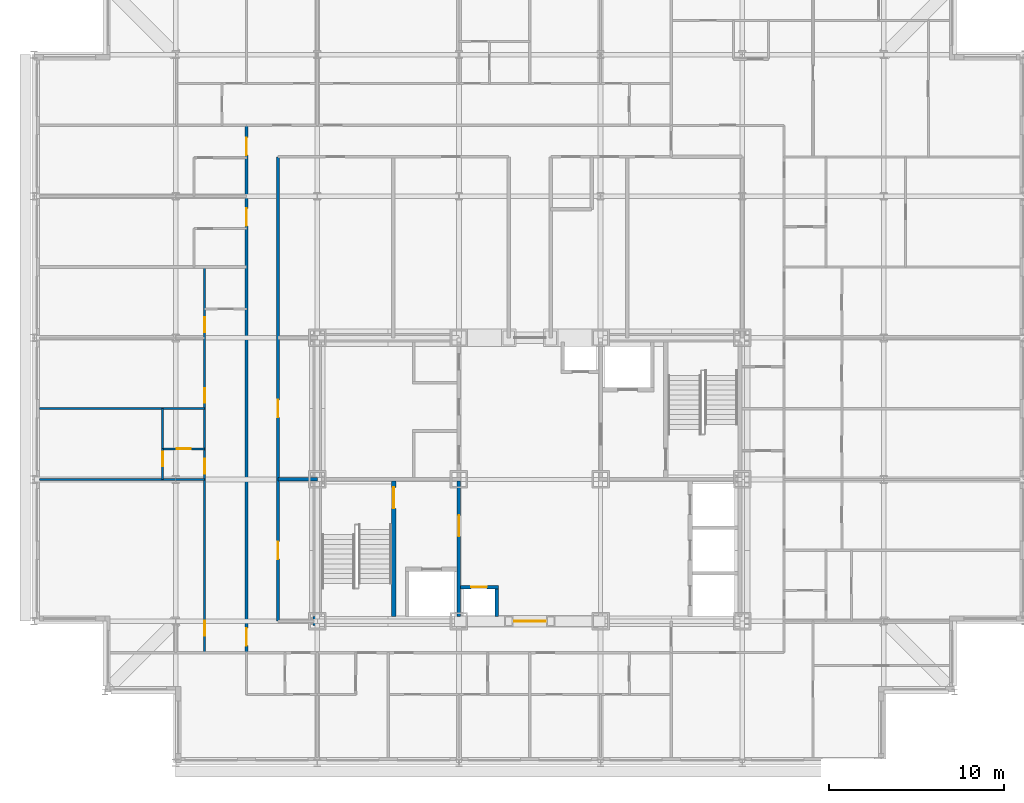
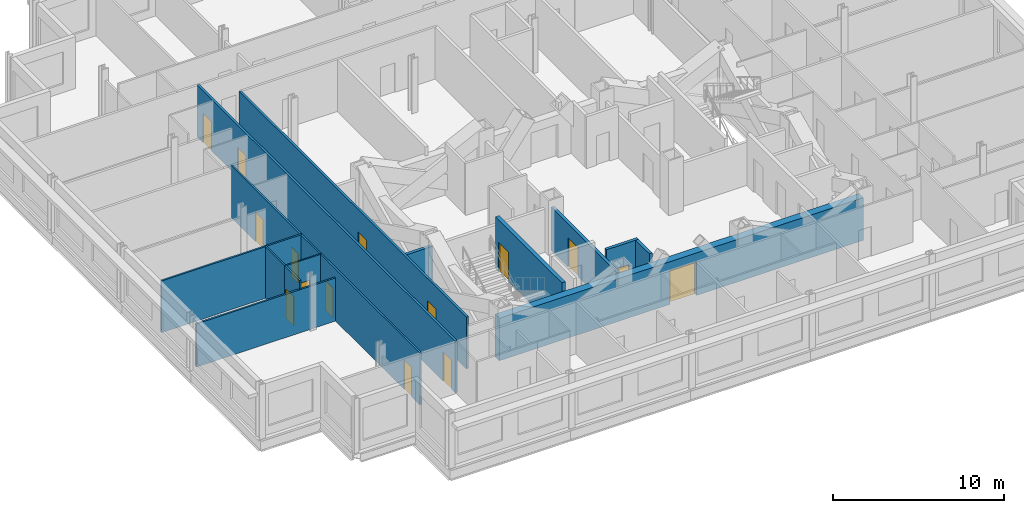
# One storey, part 8 of 15: 15 doors, 14 walls, 15 openings.
"""IFC4 building model written with IfcOpenShell, lengths in metres."""

from ifc_helpers import new_model, si_unit, direction, frame, frame_2d, origin, place, context, subcontext, project, spatial, rectangle, extrude, material, layer, layer_set, type_object, element, fill, save


model = new_model("IFC4")

# Units and contexts
model_context = context("Model", 3, precision=1e-05, world=origin(), true_north=direction((0.0, 1.0)))
body_context = subcontext(model_context, "Body", "Model", "MODEL_VIEW")
ifc_project = project(units=[si_unit("LENGTHUNIT", "METRE"), si_unit("AREAUNIT", "SQUARE_METRE"), si_unit("VOLUMEUNIT", "CUBIC_METRE"), si_unit("PLANEANGLEUNIT", "RADIAN"), si_unit("MASSUNIT", "GRAM", prefix="KILO")], contexts=[model_context])

# Site, building, storey
site_placement = place(None, origin())
site = spatial("IfcSite", under=ifc_project, at=site_placement, CompositionType="ELEMENT")
building_placement = place(site_placement, origin())
building = spatial("IfcBuilding", under=site, at=building_placement, Name="Kopane Lantern Tower", CompositionType="ELEMENT")
storey_placement = place(building_placement, frame((0.0, 0.0, 246.300048828125)))
storey = spatial("IfcBuildingStorey", under=building, at=storey_placement, Name="L63", CompositionType="ELEMENT", Elevation=246.300048828125)

# Wall, openings, doors
ifc_material_1 = material(Name="Gypsum board on steel studs", Category="steel")
ifc_layer_1 = layer(ifc_material_1, 0.1201171875)
ifc_layer_set_1 = layer_set([ifc_layer_1], Name="APARTMENT INTERNAL WALL 120")
wall_type_1 = type_object("IfcWallType", Name="APARTMENT INTERNAL WALL 120", PredefinedType="PARTITIONING", material=ifc_layer_set_1)
wall_1_placement = place(storey_placement, frame((9.75, 22.5, 0.0), z_axis=(0.0, 0.0, 1.0), x_axis=(0.0, 1.0, 0.0)))
wall_1 = element("IfcWall", 1, at=wall_1_placement, inside=storey, type_object=wall_type_1, Name="Apartment Internal Wall 120 L63", PredefinedType="PARTITIONING", context=body_context, shape_type="SweptSolid", body=[
    extrude(rectangle(XDim=22.050048828125, YDim=0.1201171875, at=frame_2d((11.02490234375, 0.0))), origin(), (0.0, 0.0, 1.0), 3.68994140625),
])
opening_1_placement = place(wall_1_placement, frame((0.97509765625, 0.0, 0.0)))
opening_1 = element("IfcOpeningElement", 2, at=opening_1_placement, cuts=wall_1, Name="Opening L63-027", PredefinedType="OPENING", context=body_context, shape_type="SweptSolid", body=[
    extrude(rectangle(XDim=0.85009765625, YDim=2.10009765625, at=frame_2d((0.425048828125, 1.050048828125))), frame((0.0, 0.070068359375, 0.0), z_axis=(0.0, -1.0, 0.0), x_axis=(1.0, 0.0, 0.0)), (0.0, 0.0, 1.0), 0.14013671875),
])
opening_2_placement = place(wall_1_placement, frame((10.22509765625, 0.0, 0.0)))
opening_2 = element("IfcOpeningElement", 3, at=opening_2_placement, cuts=wall_1, Name="Opening L63-029", PredefinedType="OPENING", context=body_context, shape_type="SweptSolid", body=[
    extrude(rectangle(XDim=0.85009765625, YDim=2.10009765625, at=frame_2d((0.425048828125, 1.050048828125))), frame((0.0, 0.070068359375, 0.0), z_axis=(0.0, -1.0, 0.0), x_axis=(1.0, 0.0, 0.0)), (0.0, 0.0, 1.0), 0.14013671875),
])
opening_3_placement = place(wall_1_placement, frame((14.27490234375, 0.0, 0.0)))
opening_3 = element("IfcOpeningElement", 4, at=opening_3_placement, cuts=wall_1, Name="Opening L63-030", PredefinedType="OPENING", context=body_context, shape_type="SweptSolid", body=[
    extrude(rectangle(XDim=0.85009765625, YDim=2.10009765625, at=frame_2d((0.425048828125, 1.050048828125))), frame((0.0, 0.070068359375, 0.0), z_axis=(0.0, -1.0, 0.0), x_axis=(1.0, 0.0, 0.0)), (0.0, 0.0, 1.0), 0.14013671875),
])
opening_4_placement = place(wall_1_placement, frame((18.324951171875, 0.0, 0.0)))
opening_4 = element("IfcOpeningElement", 5, at=opening_4_placement, cuts=wall_1, Name="Opening L63-031", PredefinedType="OPENING", context=body_context, shape_type="SweptSolid", body=[
    extrude(rectangle(XDim=0.85009765625, YDim=2.10009765625, at=frame_2d((0.425048828125, 1.050048828125))), frame((0.0, 0.070068359375, 0.0), z_axis=(0.0, -1.0, 0.0), x_axis=(1.0, 0.0, 0.0)), (0.0, 0.0, 1.0), 0.14013671875),
])
ifc_material_2 = material(Name="Timber door set", Category="wood")
door_type_1 = type_object("IfcDoorType", Name="DOOR D4 850x2100", OperationType="SINGLE_SWING_LEFT", PredefinedType="DOOR", material=ifc_material_2)
door_1_placement = place(opening_1_placement, origin())
door_1 = element("IfcDoor", 6, at=door_1_placement, inside=storey, type_object=door_type_1, Name="Door L63-027", OperationType="SINGLE_SWING_RIGHT", OverallHeight=2.10009765625, OverallWidth=0.85009765625, PredefinedType="DOOR", context=body_context, shape_type="SweptSolid", body=[
    extrude(rectangle(XDim=0.85009765625, YDim=2.10009765625, at=frame_2d((0.425048828125, 1.050048828125))), frame((0.0, 0.02490234375, 0.0), z_axis=(0.0, -1.0, 0.0), x_axis=(1.0, 0.0, 0.0)), (0.0, 0.0, 1.0), 0.050048828125),
])
fill(opening_1, door_1)
door_2_placement = place(opening_2_placement, origin())
door_2 = element("IfcDoor", 7, at=door_2_placement, inside=storey, type_object=door_type_1, Name="Door L63-029", OperationType="SINGLE_SWING_LEFT", OverallHeight=2.10009765625, OverallWidth=0.85009765625, PredefinedType="DOOR", context=body_context, shape_type="SweptSolid", body=[
    extrude(rectangle(XDim=0.85009765625, YDim=2.10009765625, at=frame_2d((0.425048828125, 1.050048828125))), frame((0.0, 0.02490234375, 0.0), z_axis=(0.0, -1.0, 0.0), x_axis=(1.0, 0.0, 0.0)), (0.0, 0.0, 1.0), 0.050048828125),
])
fill(opening_2, door_2)
door_3_placement = place(opening_3_placement, origin())
door_3 = element("IfcDoor", 8, at=door_3_placement, inside=storey, type_object=door_type_1, Name="Door L63-030", OperationType="SINGLE_SWING_LEFT", OverallHeight=2.10009765625, OverallWidth=0.85009765625, PredefinedType="DOOR", context=body_context, shape_type="SweptSolid", body=[
    extrude(rectangle(XDim=0.85009765625, YDim=2.10009765625, at=frame_2d((0.425048828125, 1.050048828125))), frame((0.0, 0.02490234375, 0.0), z_axis=(0.0, -1.0, 0.0), x_axis=(1.0, 0.0, 0.0)), (0.0, 0.0, 1.0), 0.050048828125),
])
fill(opening_3, door_3)
door_4_placement = place(opening_4_placement, origin())
door_4 = element("IfcDoor", 9, at=door_4_placement, inside=storey, type_object=door_type_1, Name="Door L63-031", OperationType="SINGLE_SWING_LEFT", OverallHeight=2.10009765625, OverallWidth=0.85009765625, PredefinedType="DOOR", context=body_context, shape_type="SweptSolid", body=[
    extrude(rectangle(XDim=0.85009765625, YDim=2.10009765625, at=frame_2d((0.425048828125, 1.050048828125))), frame((0.0, 0.02490234375, 0.0), z_axis=(0.0, -1.0, 0.0), x_axis=(1.0, 0.0, 0.0)), (0.0, 0.0, 1.0), 0.050048828125),
])
fill(opening_4, door_4)

# Walls
wall_2_placement = place(storey_placement, frame((9.75, 32.39990234375, 0.0), z_axis=(0.0, 0.0, 1.0), x_axis=(-1.0, 0.0, 0.0)))
element("IfcWall", 10, at=wall_2_placement, inside=storey, type_object=wall_type_1, Name="Apartment Internal Wall 120 L63", PredefinedType="PARTITIONING", context=body_context, shape_type="SweptSolid", body=[
    extrude(rectangle(XDim=9.449951171875, YDim=0.1201171875, at=frame_2d((4.72509765625, 0.0))), origin(), (0.0, 0.0, 1.0), 3.07763671875),
])
wall_3_placement = place(storey_placement, frame((9.75, 36.449951171875, 0.0), z_axis=(0.0, 0.0, 1.0), x_axis=(-1.0, 0.0, 0.0)))
element("IfcWall", 11, at=wall_3_placement, inside=storey, type_object=wall_type_1, Name="Apartment Internal Wall 120 L63", PredefinedType="PARTITIONING", context=body_context, shape_type="SweptSolid", body=[
    extrude(rectangle(XDim=9.449951171875, YDim=0.1201171875, at=frame_2d((4.72509765625, 0.0))), origin(), (0.0, 0.0, 1.0), 3.68994140625),
])

# Wall, opening, door
wall_4_placement = place(storey_placement, frame((7.35009765625, 32.39990234375, 0.0), z_axis=(0.0, 0.0, 1.0), x_axis=(0.0, 1.0, 0.0)))
wall_4 = element("IfcWall", 12, at=wall_4_placement, inside=storey, type_object=wall_type_1, Name="Apartment Internal Wall 120 L63", PredefinedType="PARTITIONING", context=body_context, shape_type="SweptSolid", body=[
    extrude(rectangle(XDim=1.760009765625, YDim=0.1201171875, at=frame_2d((0.8798828125, 0.0))), origin(), (0.0, 0.0, 1.0), 3.68994140625),
])
opening_5_placement = place(wall_4_placement, frame((0.75, 0.0, 0.0)))
opening_5 = element("IfcOpeningElement", 13, at=opening_5_placement, cuts=wall_4, Name="Opening L63-062", PredefinedType="OPENING", context=body_context, shape_type="SweptSolid", body=[
    extrude(rectangle(XDim=0.85009765625, YDim=2.10009765625, at=frame_2d((0.425048828125, 1.050048828125))), frame((0.0, 0.070068359375, 0.0), z_axis=(0.0, -1.0, 0.0), x_axis=(1.0, 0.0, 0.0)), (0.0, 0.0, 1.0), 0.14013671875),
])
door_5_placement = place(opening_5_placement, origin())
door_5 = element("IfcDoor", 14, at=door_5_placement, inside=storey, type_object=door_type_1, Name="Door L63-062", OperationType="SINGLE_SWING_LEFT", OverallHeight=2.10009765625, OverallWidth=0.85009765625, PredefinedType="DOOR", context=body_context, shape_type="SweptSolid", body=[
    extrude(rectangle(XDim=0.85009765625, YDim=2.10009765625, at=frame_2d((0.425048828125, 1.050048828125))), frame((0.0, 0.02490234375, 0.0), z_axis=(0.0, -1.0, 0.0), x_axis=(1.0, 0.0, 0.0)), (0.0, 0.0, 1.0), 0.050048828125),
])
fill(opening_5, door_5)

ifc_material_3 = material(Name="Moisture-resistant board on steel studs", Category="steel")
ifc_layer_2 = layer(ifc_material_3, 0.10009765625)
ifc_layer_set_2 = layer_set([ifc_layer_2], Name="BATHROOM WALL 100")
wall_type_2 = type_object("IfcWallType", Name="BATHROOM WALL 100", PredefinedType="PARTITIONING", material=ifc_layer_set_2)
wall_5_placement = place(storey_placement, frame((9.75, 34.14990234375, 0.0), z_axis=(0.0, 0.0, 1.0), x_axis=(-1.0, 0.0, 0.0)))
wall_5 = element("IfcWall", 15, at=wall_5_placement, inside=storey, type_object=wall_type_2, Name="Bathroom Wall 100 L63", PredefinedType="PARTITIONING", context=body_context, shape_type="SweptSolid", body=[
    extrude(rectangle(XDim=2.39990234375, YDim=0.10009765625, at=frame_2d((1.199951171875, 0.0))), origin(), (0.0, 0.0, 1.0), 3.68994140625),
])
opening_6_placement = place(wall_5_placement, frame((0.800048828125, 0.0, 0.0)))
opening_6 = element("IfcOpeningElement", 16, at=opening_6_placement, cuts=wall_5, Name="Opening L63-028", PredefinedType="OPENING", context=body_context, shape_type="SweptSolid", body=[
    extrude(rectangle(XDim=0.800048828125, YDim=2.10009765625, at=frame_2d((0.39990234375, 1.050048828125))), frame((0.0, 0.06005859375, 0.0), z_axis=(0.0, -1.0, 0.0), x_axis=(1.0, 0.0, 0.0)), (0.0, 0.0, 1.0), 0.1201171875),
])
ifc_material_4 = material(Name="Timber door set", Category="wood")
door_type_2 = type_object("IfcDoorType", Name="DOOR D2 800x2100", OperationType="SINGLE_SWING_LEFT", PredefinedType="DOOR", material=ifc_material_4)
door_6_placement = place(opening_6_placement, origin())
door_6 = element("IfcDoor", 17, at=door_6_placement, inside=storey, type_object=door_type_2, Name="Door L63-028", OperationType="SINGLE_SWING_RIGHT", OverallHeight=2.10009765625, OverallWidth=0.800048828125, PredefinedType="DOOR", context=body_context, shape_type="SweptSolid", body=[
    extrude(rectangle(XDim=0.800048828125, YDim=2.10009765625, at=frame_2d((0.39990234375, 1.050048828125))), frame((0.0, 0.02490234375, 0.0), z_axis=(0.0, -1.0, 0.0), x_axis=(1.0, 0.0, 0.0)), (0.0, 0.0, 1.0), 0.050048828125),
])
fill(opening_6, door_6)

# Wall
wall_6_placement = place(storey_placement, frame((7.35009765625, 34.14990234375, 0.0), z_axis=(0.0, 0.0, 1.0), x_axis=(0.0, 1.0, 0.0)))
element("IfcWall", 18, at=wall_6_placement, inside=storey, type_object=wall_type_2, Name="Bathroom Wall 100 L63", PredefinedType="PARTITIONING", context=body_context, shape_type="SweptSolid", body=[
    extrude(rectangle(XDim=2.300048828125, YDim=0.10009765625, at=frame_2d((1.14990234375, 0.0))), origin(), (0.0, 0.0, 1.0), 3.68994140625),
])

# Wall, opening, door
ifc_material_5 = material(Name="Gypsum shaft wall EI 120", Category="gypsum")
ifc_layer_3 = layer(ifc_material_5, 0.5)
ifc_layer_set_3 = layer_set([ifc_layer_3], Name="CORE PERIMETER WALL 500 EI 120")
wall_type_3 = type_object("IfcWallType", Name="CORE PERIMETER WALL 500 EI 120", PredefinedType="SOLIDWALL", material=ifc_layer_set_3)
wall_7_placement = place(storey_placement, frame((15.949951171875, 24.300048828125, 0.0), z_axis=(0.0, 0.0, 1.0), x_axis=(1.0, 0.0, 0.0)))
wall_7 = element("IfcWall", 19, at=wall_7_placement, inside=storey, type_object=wall_type_3, Name="Core shaft wall L63 PS", PredefinedType="SOLIDWALL", context=body_context, shape_type="SweptSolid", body=[
    extrude(rectangle(XDim=24.550048828125, YDim=0.5, at=frame_2d((12.27490234375, 0.0))), origin(), (0.0, 0.0, 1.0), 3.0400390625),
])
opening_7_placement = place(wall_7_placement, frame((11.5, 0.0, 0.0)))
opening_7 = element("IfcOpeningElement", 20, at=opening_7_placement, cuts=wall_7, Name="Opening 63.CE-S", PredefinedType="OPENING", context=body_context, shape_type="SweptSolid", body=[
    extrude(rectangle(XDim=1.800048828125, YDim=2.39990234375, at=frame_2d((0.89990234375, 1.199951171875))), frame((0.0, 0.260009765625, 0.0), z_axis=(0.0, -1.0, 0.0), x_axis=(1.0, 0.0, 0.0)), (0.0, 0.0, 1.0), 0.52001953125),
])
ifc_material_6 = material(Name="Steel door set", Category="steel")
door_type_3 = type_object("IfcDoorType", Name="CORE ENTRY DOOR 1800x2400 FD60S", OperationType="DOUBLE_DOOR_SINGLE_SWING", PredefinedType="DOOR", material=ifc_material_6)
door_7_placement = place(opening_7_placement, origin())
door_7 = element("IfcDoor", 21, at=door_7_placement, inside=storey, type_object=door_type_3, Name="Core entry door L63 south", OperationType="DOUBLE_DOOR_SINGLE_SWING", OverallHeight=2.39990234375, OverallWidth=1.800048828125, PredefinedType="DOOR", context=body_context, shape_type="SweptSolid", body=[
    extrude(rectangle(XDim=1.800048828125, YDim=2.39990234375, at=frame_2d((0.89990234375, 1.199951171875))), frame((0.0, 0.02490234375, 0.0), z_axis=(0.0, -1.0, 0.0), x_axis=(1.0, 0.0, 0.0)), (0.0, 0.0, 1.0), 0.050048828125),
])
fill(opening_7, door_7)

ifc_material_7 = material(Name="Gypsum shaft wall EI 120", Category="gypsum")
ifc_layer_4 = layer(ifc_material_7, 0.25)
ifc_layer_set_4 = layer_set([ifc_layer_4], Name="CORE SHAFT WALL 250 EI 120")
wall_type_4 = type_object("IfcWallType", Name="CORE SHAFT WALL 250 EI 120", PredefinedType="SOLIDWALL", material=ifc_layer_set_4)
wall_8_placement = place(storey_placement, frame((20.574951171875, 24.550048828125, 0.0), z_axis=(0.0, 0.0, 1.0), x_axis=(0.0, 1.0, 0.0)))
wall_8 = element("IfcWall", 22, at=wall_8_placement, inside=storey, type_object=wall_type_4, Name="Core shaft wall L63 XST1", PredefinedType="SOLIDWALL", context=body_context, shape_type="SweptSolid", body=[
    extrude(rectangle(XDim=7.75, YDim=0.25, at=frame_2d((3.875, 0.0))), origin(), (0.0, 0.0, 1.0), 3.68994140625),
])
opening_8_placement = place(wall_8_placement, frame((6.199951171875, 0.0, 0.0)))
opening_8 = element("IfcOpeningElement", 23, at=opening_8_placement, cuts=wall_8, Name="Opening 63.SD1", PredefinedType="OPENING", context=body_context, shape_type="SweptSolid", body=[
    extrude(rectangle(XDim=1.199951171875, YDim=2.10009765625, at=frame_2d((0.60009765625, 1.050048828125))), frame((0.0, 0.135009765625, 0.0), z_axis=(0.0, -1.0, 0.0), x_axis=(1.0, 0.0, 0.0)), (0.0, 0.0, 1.0), 0.27001953125),
])
ifc_material_8 = material(Name="Steel door set", Category="steel")
door_type_4 = type_object("IfcDoorType", Name="STAIR DOOR 1200x2100 FD60S", OperationType="SINGLE_SWING_LEFT", PredefinedType="DOOR", material=ifc_material_8)
door_8_placement = place(opening_8_placement, origin())
door_8 = element("IfcDoor", 24, at=door_8_placement, inside=storey, type_object=door_type_4, Name="Stair door ST1 L63", OperationType="SINGLE_SWING_LEFT", OverallHeight=2.10009765625, OverallWidth=1.199951171875, PredefinedType="DOOR", context=body_context, shape_type="SweptSolid", body=[
    extrude(rectangle(XDim=1.199951171875, YDim=2.10009765625, at=frame_2d((0.60009765625, 1.050048828125))), frame((0.0, 0.02490234375, 0.0), z_axis=(0.0, -1.0, 0.0), x_axis=(1.0, 0.0, 0.0)), (0.0, 0.0, 1.0), 0.050048828125),
])
fill(opening_8, door_8)

# Wall, openings, doors
ifc_material_9 = material(Name="Gypsum board on steel studs", Category="steel")
ifc_layer_5 = layer(ifc_material_9, 0.14990234375)
ifc_layer_set_5 = layer_set([ifc_layer_5], Name="CORRIDOR WALL 150 EI 60")
wall_type_5 = type_object("IfcWallType", Name="CORRIDOR WALL 150 EI 60", PredefinedType="PARTITIONING", material=ifc_layer_set_5)
wall_9_placement = place(storey_placement, frame((12.14990234375, 22.5, 0.0), z_axis=(0.0, 0.0, 1.0), x_axis=(0.0, 1.0, 0.0)))
wall_9 = element("IfcWall", 25, at=wall_9_placement, inside=storey, type_object=wall_type_5, Name="Corridor Wall 150 Ei 60 L63", PredefinedType="PARTITIONING", context=body_context, shape_type="SweptSolid", body=[
    extrude(rectangle(XDim=30.14990234375, YDim=0.14990234375, at=frame_2d((15.074951171875, 0.0))), origin(), (0.0, 0.0, 1.0), 3.68994140625),
])
opening_9_placement = place(wall_9_placement, frame((0.39990234375, 0.0, 0.0)))
opening_9 = element("IfcOpeningElement", 26, at=opening_9_placement, cuts=wall_9, Name="Opening L63-026", PredefinedType="OPENING", context=body_context, shape_type="SweptSolid", body=[
    extrude(rectangle(XDim=1.0, YDim=2.10009765625, at=frame_2d((0.5, 1.050048828125))), frame((0.0, 0.0849609375, 0.0), z_axis=(0.0, -1.0, 0.0), x_axis=(1.0, 0.0, 0.0)), (0.0, 0.0, 1.0), 0.169921875),
])
opening_10_placement = place(wall_9_placement, frame((24.39990234375, 0.0, 0.0)))
opening_10 = element("IfcOpeningElement", 27, at=opening_10_placement, cuts=wall_9, Name="Opening L63-033", PredefinedType="OPENING", context=body_context, shape_type="SweptSolid", body=[
    extrude(rectangle(XDim=1.0, YDim=2.10009765625, at=frame_2d((0.5, 1.050048828125))), frame((0.0, 0.0849609375, 0.0), z_axis=(0.0, -1.0, 0.0), x_axis=(1.0, 0.0, 0.0)), (0.0, 0.0, 1.0), 0.169921875),
])
opening_11_placement = place(wall_9_placement, frame((28.449951171875, 0.0, 0.0)))
opening_11 = element("IfcOpeningElement", 28, at=opening_11_placement, cuts=wall_9, Name="Opening L63-035", PredefinedType="OPENING", context=body_context, shape_type="SweptSolid", body=[
    extrude(rectangle(XDim=1.0, YDim=2.10009765625, at=frame_2d((0.5, 1.050048828125))), frame((0.0, 0.0849609375, 0.0), z_axis=(0.0, -1.0, 0.0), x_axis=(1.0, 0.0, 0.0)), (0.0, 0.0, 1.0), 0.169921875),
])
ifc_material_10 = material(Name="Steel door set", Category="steel")
door_type_5 = type_object("IfcDoorType", Name="DOOR D3 1000x2100 FD30S", OperationType="SINGLE_SWING_LEFT", PredefinedType="DOOR", material=ifc_material_10)
door_9_placement = place(opening_9_placement, origin())
door_9 = element("IfcDoor", 29, at=door_9_placement, inside=storey, type_object=door_type_5, Name="Door L63-026", OperationType="SINGLE_SWING_LEFT", OverallHeight=2.10009765625, OverallWidth=1.0, PredefinedType="DOOR", context=body_context, shape_type="SweptSolid", body=[
    extrude(rectangle(XDim=1.0, YDim=2.10009765625, at=frame_2d((0.5, 1.050048828125))), frame((0.0, 0.02490234375, 0.0), z_axis=(0.0, -1.0, 0.0), x_axis=(1.0, 0.0, 0.0)), (0.0, 0.0, 1.0), 0.050048828125),
])
fill(opening_9, door_9)
door_10_placement = place(opening_10_placement, origin())
door_10 = element("IfcDoor", 30, at=door_10_placement, inside=storey, type_object=door_type_5, Name="Door L63-033", OperationType="SINGLE_SWING_LEFT", OverallHeight=2.10009765625, OverallWidth=1.0, PredefinedType="DOOR", context=body_context, shape_type="SweptSolid", body=[
    extrude(rectangle(XDim=1.0, YDim=2.10009765625, at=frame_2d((0.5, 1.050048828125))), frame((0.0, 0.02490234375, 0.0), z_axis=(0.0, -1.0, 0.0), x_axis=(1.0, 0.0, 0.0)), (0.0, 0.0, 1.0), 0.050048828125),
])
fill(opening_10, door_10)
door_11_placement = place(opening_11_placement, origin())
door_11 = element("IfcDoor", 31, at=door_11_placement, inside=storey, type_object=door_type_5, Name="Door L63-035", OperationType="SINGLE_SWING_LEFT", OverallHeight=2.10009765625, OverallWidth=1.0, PredefinedType="DOOR", context=body_context, shape_type="SweptSolid", body=[
    extrude(rectangle(XDim=1.0, YDim=2.10009765625, at=frame_2d((0.5, 1.050048828125))), frame((0.0, 0.02490234375, 0.0), z_axis=(0.0, -1.0, 0.0), x_axis=(1.0, 0.0, 0.0)), (0.0, 0.0, 1.0), 0.050048828125),
])
fill(opening_11, door_11)

wall_10_placement = place(storey_placement, frame((13.949951171875, 24.300048828125, 0.0), z_axis=(0.0, 0.0, 1.0), x_axis=(0.0, 1.0, 0.0)))
wall_10 = element("IfcWall", 32, at=wall_10_placement, inside=storey, type_object=wall_type_5, Name="Corridor Wall 150 Ei 60 L63", PredefinedType="PARTITIONING", context=body_context, shape_type="SweptSolid", body=[
    extrude(rectangle(XDim=26.550048828125, YDim=0.14990234375, at=frame_2d((13.27490234375, 0.0))), origin(), (0.0, 0.0, 1.0), 3.68994140625),
])
opening_12_placement = place(wall_10_placement, frame((3.550048828125, 0.0, 0.0)))
opening_12 = element("IfcOpeningElement", 33, at=opening_12_placement, cuts=wall_10, Name="Opening L63-001", PredefinedType="OPENING", context=body_context, shape_type="SweptSolid", body=[
    extrude(rectangle(XDim=1.0, YDim=2.10009765625, at=frame_2d((0.5, 1.050048828125))), frame((0.0, 0.0849609375, 0.0), z_axis=(0.0, -1.0, 0.0), x_axis=(1.0, 0.0, 0.0)), (0.0, 0.0, 1.0), 0.169921875),
])
opening_13_placement = place(wall_10_placement, frame((11.64990234375, 0.0, 0.0)))
opening_13 = element("IfcOpeningElement", 34, at=opening_13_placement, cuts=wall_10, Name="Opening L63-002", PredefinedType="OPENING", context=body_context, shape_type="SweptSolid", body=[
    extrude(rectangle(XDim=1.0, YDim=2.10009765625, at=frame_2d((0.5, 1.050048828125))), frame((0.0, 0.0849609375, 0.0), z_axis=(0.0, -1.0, 0.0), x_axis=(1.0, 0.0, 0.0)), (0.0, 0.0, 1.0), 0.169921875),
])
ifc_material_11 = material(Name="Steel door set", Category="steel")
door_type_6 = type_object("IfcDoorType", Name="DOOR D5 1000x2100 FD60", OperationType="SINGLE_SWING_LEFT", PredefinedType="DOOR", material=ifc_material_11)
door_12_placement = place(opening_12_placement, origin())
door_12 = element("IfcDoor", 35, at=door_12_placement, inside=storey, type_object=door_type_6, Name="Door L63-001", OperationType="SINGLE_SWING_RIGHT", OverallHeight=2.10009765625, OverallWidth=1.0, PredefinedType="DOOR", context=body_context, shape_type="SweptSolid", body=[
    extrude(rectangle(XDim=1.0, YDim=2.10009765625, at=frame_2d((0.5, 1.050048828125))), frame((0.0, 0.02490234375, 0.0), z_axis=(0.0, -1.0, 0.0), x_axis=(1.0, 0.0, 0.0)), (0.0, 0.0, 1.0), 0.050048828125),
])
fill(opening_12, door_12)
door_13_placement = place(opening_13_placement, origin())
door_13 = element("IfcDoor", 36, at=door_13_placement, inside=storey, type_object=door_type_6, Name="Door L63-002", OperationType="SINGLE_SWING_LEFT", OverallHeight=2.10009765625, OverallWidth=1.0, PredefinedType="DOOR", context=body_context, shape_type="SweptSolid", body=[
    extrude(rectangle(XDim=1.0, YDim=2.10009765625, at=frame_2d((0.5, 1.050048828125))), frame((0.0, 0.02490234375, 0.0), z_axis=(0.0, -1.0, 0.0), x_axis=(1.0, 0.0, 0.0)), (0.0, 0.0, 1.0), 0.050048828125),
])
fill(opening_13, door_13)

# Wall
ifc_material_12 = material(Name="Concrete masonry", Category="masonry")
ifc_layer_6 = layer(ifc_material_12, 0.199951171875)
ifc_layer_set_6 = layer_set([ifc_layer_6], Name="PLANT ROOM WALL 200 EI 120")
wall_type_6 = type_object("IfcWallType", Name="PLANT ROOM WALL 200 EI 120", PredefinedType="SOLIDWALL", material=ifc_layer_set_6)
wall_11_placement = place(storey_placement, frame((13.949951171875, 32.39990234375, 0.0), z_axis=(0.0, 0.0, 1.0), x_axis=(1.0, 0.0, 0.0)))
element("IfcWall", 37, at=wall_11_placement, inside=storey, type_object=wall_type_6, Name="Plant Room Wall 200 Ei 120 L63", PredefinedType="SOLIDWALL", context=body_context, shape_type="SweptSolid", body=[
    extrude(rectangle(XDim=2.25, YDim=0.199951171875, at=frame_2d((1.125, 0.0))), origin(), (0.0, 0.0, 1.0), 3.07763671875),
])

# Wall, opening, door
ifc_material_13 = material(Name="Gypsum shaft wall EI 120", Category="gypsum")
ifc_layer_7 = layer(ifc_material_13, 0.199951171875)
ifc_layer_set_7 = layer_set([ifc_layer_7], Name="SHAFT WALL 200 EI 120")
wall_type_7 = type_object("IfcWallType", Name="SHAFT WALL 200 EI 120", PredefinedType="SOLIDWALL", material=ifc_layer_set_7)
wall_12_placement = place(storey_placement, frame((24.300048828125, 24.550048828125, 0.0), z_axis=(0.0, 0.0, 1.0), x_axis=(0.0, 1.0, 0.0)))
wall_12 = element("IfcWall", 38, at=wall_12_placement, inside=storey, type_object=wall_type_7, Name="Core shaft wall L63 X243", PredefinedType="SOLIDWALL", context=body_context, shape_type="SweptSolid", body=[
    extrude(rectangle(XDim=7.75, YDim=0.199951171875, at=frame_2d((3.875, 0.0))), origin(), (0.0, 0.0, 1.0), 3.07763671875),
])
opening_14_placement = place(wall_12_placement, frame((4.60009765625, 0.0, 0.0)))
opening_14 = element("IfcOpeningElement", 39, at=opening_14_placement, cuts=wall_12, Name="Opening 63.FL1", PredefinedType="OPENING", context=body_context, shape_type="SweptSolid", body=[
    extrude(rectangle(XDim=1.199951171875, YDim=2.10009765625, at=frame_2d((0.60009765625, 1.050048828125))), frame((0.0, 0.10986328125, 0.0), z_axis=(0.0, -1.0, 0.0), x_axis=(1.0, 0.0, 0.0)), (0.0, 0.0, 1.0), 0.219970703125),
])
ifc_material_14 = material(Name="Steel door set", Category="steel")
door_type_7 = type_object("IfcDoorType", Name="FIREFIGHTING LOBBY DOOR 1200x2100 FD60S", OperationType="SINGLE_SWING_RIGHT", PredefinedType="DOOR", material=ifc_material_14)
door_14_placement = place(opening_14_placement, origin())
door_14 = element("IfcDoor", 40, at=door_14_placement, inside=storey, type_object=door_type_7, Name="Firefighting lobby door FL1 L63", OperationType="SINGLE_SWING_LEFT", OverallHeight=2.10009765625, OverallWidth=1.199951171875, PredefinedType="DOOR", context=body_context, shape_type="SweptSolid", body=[
    extrude(rectangle(XDim=1.199951171875, YDim=2.10009765625, at=frame_2d((0.60009765625, 1.050048828125))), frame((0.0, 0.02490234375, 0.0), z_axis=(0.0, -1.0, 0.0), x_axis=(1.0, 0.0, 0.0)), (0.0, 0.0, 1.0), 0.050048828125),
])
fill(opening_14, door_14)

# Wall
wall_13_placement = place(storey_placement, frame((26.449951171875, 24.550048828125, 0.0), z_axis=(0.0, 0.0, 1.0), x_axis=(0.0, 1.0, 0.0)))
element("IfcWall", 41, at=wall_13_placement, inside=storey, type_object=wall_type_7, Name="Core shaft wall L63 XRS1", PredefinedType="SOLIDWALL", context=body_context, shape_type="SweptSolid", body=[
    extrude(rectangle(XDim=1.599853515625, YDim=0.199951171875, at=frame_2d((0.7998046875, 0.0))), origin(), (0.0, 0.0, 1.0), 3.68994140625),
])

# Wall, opening, door
wall_14_placement = place(storey_placement, frame((24.39990234375, 26.25, 0.0), z_axis=(0.0, 0.0, 1.0), x_axis=(1.0, 0.0, 0.0)))
wall_14 = element("IfcWall", 42, at=wall_14_placement, inside=storey, type_object=wall_type_7, Name="Core shaft wall L63 YRS1", PredefinedType="SOLIDWALL", context=body_context, shape_type="SweptSolid", body=[
    extrude(rectangle(XDim=2.150146484375, YDim=0.199951171875, at=frame_2d((1.0751953125, 0.0))), origin(), (0.0, 0.0, 1.0), 3.68994140625),
])
opening_15_placement = place(wall_14_placement, frame((0.60009765625, 0.0, 0.0)))
opening_15 = element("IfcOpeningElement", 43, at=opening_15_placement, cuts=wall_14, Name="Opening 63.RS1", PredefinedType="OPENING", context=body_context, shape_type="SweptSolid", body=[
    extrude(rectangle(XDim=0.89990234375, YDim=2.10009765625, at=frame_2d((0.449951171875, 1.050048828125))), frame((0.0, 0.10986328125, 0.0), z_axis=(0.0, -1.0, 0.0), x_axis=(1.0, 0.0, 0.0)), (0.0, 0.0, 1.0), 0.219970703125),
])
ifc_material_15 = material(Name="Steel door set", Category="steel")
door_type_8 = type_object("IfcDoorType", Name="RISER ACCESS DOOR 900x2100 FD60", OperationType="SINGLE_SWING_LEFT", PredefinedType="DOOR", material=ifc_material_15)
door_15_placement = place(opening_15_placement, origin())
door_15 = element("IfcDoor", 44, at=door_15_placement, inside=storey, type_object=door_type_8, Name="Riser access door RS1 L63", OperationType="SINGLE_SWING_LEFT", OverallHeight=2.10009765625, OverallWidth=0.89990234375, PredefinedType="DOOR", context=body_context, shape_type="SweptSolid", body=[
    extrude(rectangle(XDim=0.89990234375, YDim=2.10009765625, at=frame_2d((0.449951171875, 1.050048828125))), frame((0.0, 0.02490234375, 0.0), z_axis=(0.0, -1.0, 0.0), x_axis=(1.0, 0.0, 0.0)), (0.0, 0.0, 1.0), 0.050048828125),
])
fill(opening_15, door_15)

save(model, "model.ifc")
